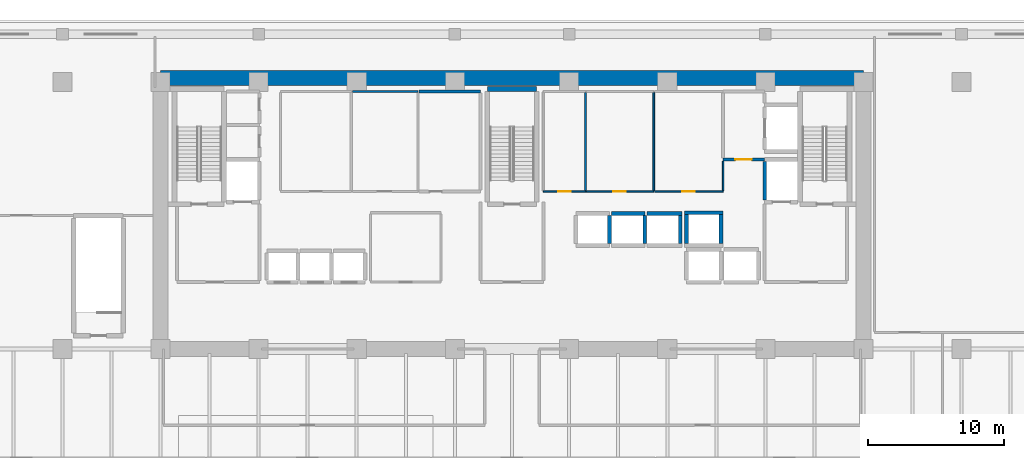
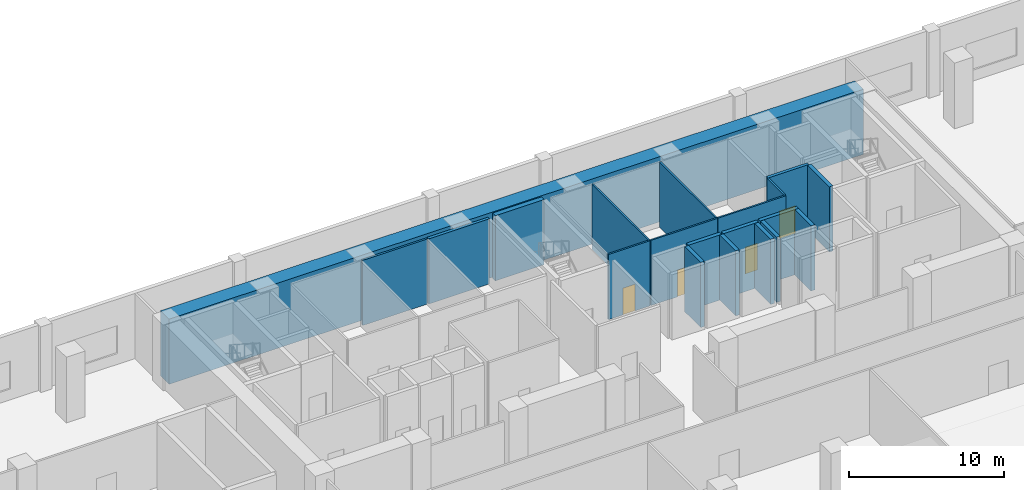
# One storey, part 20 of 25: 20 walls, 4 doors, 4 openings.
"""IFC4 building model written with IfcOpenShell, lengths in metres."""

from ifc_helpers import new_model, si_unit, direction, frame, frame_2d, origin, place, context, subcontext, project, spatial, rectangle, extrude, material, layer, layer_set, type_object, element, fill, save


model = new_model("IFC4")

# Units and contexts
model_context = context("Model", 3, precision=1e-05, world=origin(), true_north=direction((0.0, 1.0)))
body_context = subcontext(model_context, "Body", "Model", "MODEL_VIEW")
ifc_project = project(units=[si_unit("LENGTHUNIT", "METRE"), si_unit("AREAUNIT", "SQUARE_METRE"), si_unit("VOLUMEUNIT", "CUBIC_METRE"), si_unit("PLANEANGLEUNIT", "RADIAN"), si_unit("MASSUNIT", "GRAM", prefix="KILO")], contexts=[model_context])

# Site, building, storey
site_placement = place(None, origin())
site = spatial("IfcSite", under=ifc_project, at=site_placement, CompositionType="ELEMENT")
building_placement = place(site_placement, origin())
building = spatial("IfcBuilding", under=site, at=building_placement, Name="Kaelvorn Grand Hotel", CompositionType="ELEMENT")
storey_placement = place(building_placement, frame((0.0, 0.0, 26.0)))
storey = spatial("IfcBuildingStorey", under=building, at=storey_placement, Name="L04", CompositionType="ELEMENT", Elevation=26.0)

# Wall
ifc_material_1 = material(Name="Concrete C80/95", Category="concrete")
ifc_layer_1 = layer(ifc_material_1, 1.10009765625)
ifc_layer_set_1 = layer_set([ifc_layer_1], Name="Concrete C80/95")
wall_type_1 = type_object("IfcWallType", Name="WL-CORE-1100-C80", PredefinedType="SHEAR", material=ifc_layer_set_1)
wall_1_placement = place(storey_placement, frame((16.199951171875, 49.300048828125, 0.0), z_axis=(0.0, 0.0, 1.0), x_axis=(1.0, 0.0, 0.0)))
element("IfcWall", 1, at=wall_1_placement, inside=storey, type_object=wall_type_1, Name="L04 Rear-Core North Shear Wall", PredefinedType="SHEAR", context=body_context, shape_type="SweptSolid", body=[
    extrude(rectangle(XDim=51.60009765625, YDim=1.10009765625, at=frame_2d((25.800048828125, 0.0))), origin(), (0.0, 0.0, 1.0), 5.1201171875),
])

# Wall, opening, door
ifc_material_2 = material(Name="Moisture-Resistant Tile & Stud Board")
ifc_layer_2 = layer(ifc_material_2, 0.125)
ifc_layer_set_2 = layer_set([ifc_layer_2], Name="Moisture-Resistant Tile & Stud Board")
wall_type_2 = type_object("IfcWallType", Name="WL-PART-125-WET", PredefinedType="PARTITIONING", material=ifc_layer_set_2)
wall_2_placement = place(storey_placement, frame((44.300048828125, 40.949951171875, 0.0), z_axis=(0.0, 0.0, 1.0), x_axis=(1.0, 0.0, 0.0)))
wall_2 = element("IfcWall", 2, at=wall_2_placement, inside=storey, type_object=wall_type_2, Name="L04 Accessible WC S Partition", PredefinedType="PARTITIONING", context=body_context, shape_type="SweptSolid", body=[
    extrude(rectangle(XDim=3.099853515625, YDim=0.125, at=frame_2d((1.5498046875, 0.0))), origin(), (0.0, 0.0, 1.0), 5.1201171875),
])
opening_1_placement = place(wall_2_placement, frame((1.10009765625, 0.0, 0.0)))
opening_1 = element("IfcOpeningElement", 3, at=opening_1_placement, cuts=wall_2, Name="Opening DI4", PredefinedType="OPENING", context=body_context, shape_type="SweptSolid", body=[
    extrude(rectangle(XDim=0.89990234375, YDim=2.10009765625, at=frame_2d((0.449951171875, 1.050048828125))), frame((0.0, 0.072509765625, 0.0), z_axis=(0.0, -1.0, 0.0), x_axis=(1.0, 0.0, 0.0)), (0.0, 0.0, 1.0), 0.14501953125),
])
ifc_material_3 = material(Name="Timber Veneer Leaf", Category="wood")
door_type_1 = type_object("IfcDoorType", Name="DR-INT-BATH-900x2100", OperationType="NOTDEFINED", PredefinedType="DOOR", material=ifc_material_3)
door_1_placement = place(opening_1_placement, origin())
door_1 = element("IfcDoor", 4, at=door_1_placement, inside=storey, type_object=door_type_1, Name="L04 Accessible WC Door", OperationType="SINGLE_SWING_LEFT", OverallHeight=2.10009765625, OverallWidth=0.89990234375, PredefinedType="DOOR", context=body_context, shape_type="SweptSolid", body=[
    extrude(rectangle(XDim=0.89990234375, YDim=2.10009765625, at=frame_2d((0.449951171875, 1.050048828125))), frame((0.0, 0.02490234375, 0.0), z_axis=(0.0, -1.0, 0.0), x_axis=(1.0, 0.0, 0.0)), (0.0, 0.0, 1.0), 0.050048828125),
])
fill(opening_1, door_1)

# Wall
wall_3_placement = place(storey_placement, frame((47.39990234375, 41.017578125, 0.0), z_axis=(0.0, 0.0, 1.0), x_axis=(0.0, 1.0, 0.0)))
element("IfcWall", 5, at=wall_3_placement, inside=storey, type_object=wall_type_2, Name="L04 Accessible WC E Partition", PredefinedType="PARTITIONING", context=body_context, shape_type="SweptSolid", body=[
    extrude(rectangle(XDim=7.21484375, YDim=0.125, at=frame_2d((3.607421875, 0.0))), origin(), (0.0, 0.0, 1.0), 5.1201171875),
])

# Wall, opening, door
wall_4_placement = place(storey_placement, frame((47.467529296875, 40.949951171875, 0.0), z_axis=(0.0, 0.0, 1.0), x_axis=(1.0, 0.0, 0.0)))
wall_4 = element("IfcWall", 6, at=wall_4_placement, inside=storey, type_object=wall_type_2, Name="L04 Male Staff & Guest Toilets S Partition", PredefinedType="PARTITIONING", context=body_context, shape_type="SweptSolid", body=[
    extrude(rectangle(XDim=4.932373046875, YDim=0.125, at=frame_2d((2.46630859375, 0.0))), origin(), (0.0, 0.0, 1.0), 5.1201171875),
])
opening_2_placement = place(wall_4_placement, frame((1.982421875, 0.0, 0.0)))
opening_2 = element("IfcOpeningElement", 7, at=opening_2_placement, cuts=wall_4, Name="Opening DI4", PredefinedType="OPENING", context=body_context, shape_type="SweptSolid", body=[
    extrude(rectangle(XDim=0.89990234375, YDim=2.10009765625, at=frame_2d((0.449951171875, 1.050048828125))), frame((0.0, 0.072509765625, 0.0), z_axis=(0.0, -1.0, 0.0), x_axis=(1.0, 0.0, 0.0)), (0.0, 0.0, 1.0), 0.14501953125),
])
door_2_placement = place(opening_2_placement, origin())
door_2 = element("IfcDoor", 8, at=door_2_placement, inside=storey, type_object=door_type_1, Name="L04 Male Staff & Guest Toilets Door", OperationType="SINGLE_SWING_RIGHT", OverallHeight=2.10009765625, OverallWidth=0.89990234375, PredefinedType="DOOR", context=body_context, shape_type="SweptSolid", body=[
    extrude(rectangle(XDim=0.89990234375, YDim=2.10009765625, at=frame_2d((0.449951171875, 1.050048828125))), frame((0.0, 0.02490234375, 0.0), z_axis=(0.0, -1.0, 0.0), x_axis=(1.0, 0.0, 0.0)), (0.0, 0.0, 1.0), 0.050048828125),
])
fill(opening_2, door_2)

# Wall
wall_5_placement = place(storey_placement, frame((52.39990234375, 41.017578125, 0.0), z_axis=(0.0, 0.0, 1.0), x_axis=(0.0, 1.0, 0.0)))
element("IfcWall", 9, at=wall_5_placement, inside=storey, type_object=wall_type_2, Name="L04 Male Staff & Guest Toilets E Partition", PredefinedType="PARTITIONING", context=body_context, shape_type="SweptSolid", body=[
    extrude(rectangle(XDim=7.21484375, YDim=0.125, at=frame_2d((3.607421875, 0.0))), origin(), (0.0, 0.0, 1.0), 5.1201171875),
])

# Wall, opening, door
wall_6_placement = place(storey_placement, frame((52.467529296875, 40.949951171875, 0.0), z_axis=(0.0, 0.0, 1.0), x_axis=(1.0, 0.0, 0.0)))
wall_6 = element("IfcWall", 10, at=wall_6_placement, inside=storey, type_object=wall_type_2, Name="L04 Female Staff & Guest Toilets S Partition", PredefinedType="PARTITIONING", context=body_context, shape_type="SweptSolid", body=[
    extrude(rectangle(XDim=5.032470703125, YDim=0.125, at=frame_2d((2.51611328125, 0.0))), origin(), (0.0, 0.0, 1.0), 5.1201171875),
])
opening_3_placement = place(wall_6_placement, frame((2.032470703125, 0.0, 0.0)))
opening_3 = element("IfcOpeningElement", 11, at=opening_3_placement, cuts=wall_6, Name="Opening DI4", PredefinedType="OPENING", context=body_context, shape_type="SweptSolid", body=[
    extrude(rectangle(XDim=0.89990234375, YDim=2.10009765625, at=frame_2d((0.449951171875, 1.050048828125))), frame((0.0, 0.072509765625, 0.0), z_axis=(0.0, -1.0, 0.0), x_axis=(1.0, 0.0, 0.0)), (0.0, 0.0, 1.0), 0.14501953125),
])
door_3_placement = place(opening_3_placement, origin())
door_3 = element("IfcDoor", 12, at=door_3_placement, inside=storey, type_object=door_type_1, Name="L04 Female Staff & Guest Toilets Door", OperationType="SINGLE_SWING_LEFT", OverallHeight=2.10009765625, OverallWidth=0.89990234375, PredefinedType="DOOR", context=body_context, shape_type="SweptSolid", body=[
    extrude(rectangle(XDim=0.89990234375, YDim=2.10009765625, at=frame_2d((0.449951171875, 1.050048828125))), frame((0.0, 0.02490234375, 0.0), z_axis=(0.0, -1.0, 0.0), x_axis=(1.0, 0.0, 0.0)), (0.0, 0.0, 1.0), 0.050048828125),
])
fill(opening_3, door_3)

# Walls
wall_7_placement = place(storey_placement, frame((57.5, 41.017578125, 0.0), z_axis=(0.0, 0.0, 1.0), x_axis=(0.0, 1.0, 0.0)))
element("IfcWall", 13, at=wall_7_placement, inside=storey, type_object=wall_type_2, Name="L04 Female Staff & Guest Toilets E Partition", PredefinedType="PARTITIONING", context=body_context, shape_type="SweptSolid", body=[
    extrude(rectangle(XDim=2.16748046875, YDim=0.125, at=frame_2d((1.083740234375, 0.0))), origin(), (0.0, 0.0, 1.0), 5.1201171875),
])
ifc_material_4 = material(Name="Acoustic Gypsum & Stud Partition")
ifc_layer_3 = layer(ifc_material_4, 0.14990234375)
ifc_layer_set_3 = layer_set([ifc_layer_3], Name="Acoustic Gypsum & Stud Partition")
wall_type_3 = type_object("IfcWallType", Name="WL-PART-150-EI60", PredefinedType="PARTITIONING", material=ifc_layer_set_3)
wall_8_placement = place(storey_placement, frame((30.280029296875, 48.300048828125, 0.0), z_axis=(0.0, 0.0, 1.0), x_axis=(1.0, 0.0, 0.0)))
element("IfcWall", 14, at=wall_8_placement, inside=storey, type_object=wall_type_3, Name="L04 Room Service Servery Pantry N Partition", PredefinedType="PARTITIONING", context=body_context, shape_type="SweptSolid", body=[
    extrude(rectangle(XDim=4.820068359375, YDim=0.14990234375, at=frame_2d((2.41015625, 0.0))), origin(), (0.0, 0.0, 1.0), 5.1201171875),
])

# Wall, opening, door
ifc_material_5 = material(Name="Concrete C40/50", Category="concrete")
ifc_layer_4 = layer(ifc_material_5, 0.219970703125)
ifc_layer_set_4 = layer_set([ifc_layer_4], Name="Concrete C40/50")
wall_type_4 = type_object("IfcWallType", Name="WL-PART-220-EI120", PredefinedType="PARTITIONING", material=ifc_layer_set_4)
wall_9_placement = place(storey_placement, frame((57.5, 43.300048828125, 0.0), z_axis=(0.0, 0.0, 1.0), x_axis=(1.0, 0.0, 0.0)))
wall_9 = element("IfcWall", 15, at=wall_9_placement, inside=storey, type_object=wall_type_4, Name="L04 Service Lift Lobby S Partition", PredefinedType="PARTITIONING", context=body_context, shape_type="SweptSolid", body=[
    extrude(rectangle(XDim=3.0400390625, YDim=0.219970703125, at=frame_2d((1.52001953125, 0.0))), origin(), (0.0, 0.0, 1.0), 5.1201171875),
])
opening_4_placement = place(wall_9_placement, frame((0.89990234375, 0.0, 0.0)))
opening_4 = element("IfcOpeningElement", 16, at=opening_4_placement, cuts=wall_9, Name="Opening DI2", PredefinedType="OPENING", context=body_context, shape_type="SweptSolid", body=[
    extrude(rectangle(XDim=1.199951171875, YDim=2.14990234375, at=frame_2d((0.60009765625, 1.074951171875))), frame((0.0, 0.1201171875, 0.0), z_axis=(0.0, -1.0, 0.0), x_axis=(1.0, 0.0, 0.0)), (0.0, 0.0, 1.0), 0.239990234375),
])
ifc_material_6 = material(Name="Timber Veneer Fire Leaf", Category="wood")
door_type_2 = type_object("IfcDoorType", Name="DR-INT-FFLOB-1200x2150", OperationType="NOTDEFINED", PredefinedType="DOOR", material=ifc_material_6)
door_4_placement = place(opening_4_placement, origin())
door_4 = element("IfcDoor", 17, at=door_4_placement, inside=storey, type_object=door_type_2, Name="L04 Service Lift Lobby Door", OperationType="SINGLE_SWING_RIGHT", OverallHeight=2.14990234375, OverallWidth=1.199951171875, PredefinedType="DOOR", context=body_context, shape_type="SweptSolid", body=[
    extrude(rectangle(XDim=1.199951171875, YDim=2.14990234375, at=frame_2d((0.60009765625, 1.074951171875))), frame((0.0, 0.02490234375, 0.0), z_axis=(0.0, -1.0, 0.0), x_axis=(1.0, 0.0, 0.0)), (0.0, 0.0, 1.0), 0.050048828125),
])
fill(opening_4, door_4)

# Walls
wall_10_placement = place(storey_placement, frame((35.179931640625, 48.300048828125, 0.0), z_axis=(0.0, 0.0, 1.0), x_axis=(1.0, 0.0, 0.0)))
element("IfcWall", 18, at=wall_10_placement, inside=storey, type_object=wall_type_4, Name="L04 Floor Electrical Switchroom N Partition", PredefinedType="PARTITIONING", context=body_context, shape_type="SweptSolid", body=[
    extrude(rectangle(XDim=4.52001953125, YDim=0.219970703125, at=frame_2d((2.260009765625, 0.0))), origin(), (0.0, 0.0, 1.0), 5.1201171875),
])
ifc_material_7 = material(Name="Concrete C50/60", Category="concrete")
ifc_layer_5 = layer(ifc_material_7, 0.280029296875)
ifc_layer_set_5 = layer_set([ifc_layer_5], Name="Concrete C50/60")
wall_type_5 = type_object("IfcWallType", Name="WL-SHAFT-280-C50", PredefinedType="SHEAR", material=ifc_layer_set_5)
wall_11_placement = place(storey_placement, frame((49.14990234375, 37.14501953125, 0.0), z_axis=(0.0, 0.0, 1.0), x_axis=(0.0, 1.0, 0.0)))
element("IfcWall", 19, at=wall_11_placement, inside=storey, type_object=wall_type_5, Name="L04 Lift SL-1 Shaft East Wall", PredefinedType="SHEAR", context=body_context, shape_type="SweptSolid", body=[
    extrude(rectangle(XDim=2.06005859375, YDim=0.280029296875, at=frame_2d((1.030029296875, 0.0))), origin(), (0.0, 0.0, 1.0), 5.1201171875),
])
wall_12_placement = place(storey_placement, frame((49.300048828125, 39.35009765625, 0.0), z_axis=(0.0, 0.0, 1.0), x_axis=(1.0, 0.0, 0.0)))
element("IfcWall", 20, at=wall_12_placement, inside=storey, type_object=wall_type_5, Name="L04 Lift SL-2 Shaft North Wall", PredefinedType="SHEAR", context=body_context, shape_type="SweptSolid", body=[
    extrude(rectangle(XDim=2.449951171875, YDim=0.280029296875, at=frame_2d((1.22509765625, 0.0))), origin(), (0.0, 0.0, 1.0), 5.1201171875),
])
wall_13_placement = place(storey_placement, frame((51.75, 37.14501953125, 0.0), z_axis=(0.0, 0.0, 1.0), x_axis=(0.0, 1.0, 0.0)))
element("IfcWall", 21, at=wall_13_placement, inside=storey, type_object=wall_type_5, Name="L04 Lift SL-2 Shaft East Wall", PredefinedType="SHEAR", context=body_context, shape_type="SweptSolid", body=[
    extrude(rectangle(XDim=2.06005859375, YDim=0.280029296875, at=frame_2d((1.030029296875, 0.0))), origin(), (0.0, 0.0, 1.0), 5.1201171875),
])
wall_14_placement = place(storey_placement, frame((51.89990234375, 39.35009765625, 0.0), z_axis=(0.0, 0.0, 1.0), x_axis=(1.0, 0.0, 0.0)))
element("IfcWall", 22, at=wall_14_placement, inside=storey, type_object=wall_type_5, Name="L04 Lift SL-3 Shaft North Wall", PredefinedType="SHEAR", context=body_context, shape_type="SweptSolid", body=[
    extrude(rectangle(XDim=2.590087890625, YDim=0.280029296875, at=frame_2d((1.294921875, 0.0))), origin(), (0.0, 0.0, 1.0), 5.1201171875),
])
wall_15_placement = place(storey_placement, frame((54.35009765625, 37.14501953125, 0.0), z_axis=(0.0, 0.0, 1.0), x_axis=(0.0, 1.0, 0.0)))
element("IfcWall", 23, at=wall_15_placement, inside=storey, type_object=wall_type_5, Name="L04 Lift SL-3 Shaft East Wall", PredefinedType="SHEAR", context=body_context, shape_type="SweptSolid", body=[
    extrude(rectangle(XDim=2.06005859375, YDim=0.280029296875, at=frame_2d((1.030029296875, 0.0))), origin(), (0.0, 0.0, 1.0), 5.1201171875),
])
wall_16_placement = place(storey_placement, frame((54.659912109375, 39.39990234375, 0.0), z_axis=(0.0, 0.0, 1.0), x_axis=(1.0, 0.0, 0.0)))
element("IfcWall", 24, at=wall_16_placement, inside=storey, type_object=wall_type_5, Name="L04 Lift OL-3 Shaft North Wall", PredefinedType="SHEAR", context=body_context, shape_type="SweptSolid", body=[
    extrude(rectangle(XDim=2.830078125, YDim=0.280029296875, at=frame_2d((1.4150390625, 0.0))), origin(), (0.0, 0.0, 1.0), 5.1201171875),
])
for number, where, z_axis, x_axis, name in (
    (25, (54.800048828125, 37.14501953125, 0.0), (0.0, 0.0, 1.0), (0.0, 1.0, 0.0), "L04 Lift OL-3 Shaft West Wall"),
    (26, (57.35009765625, 37.14501953125, 0.0), (0.0, 0.0, 1.0), (0.0, 1.0, 0.0), "L04 Lift OL-3 Shaft East Wall"),
):
    element("IfcWall", number, at=place(storey_placement, frame(where, z_axis=z_axis, x_axis=x_axis)), inside=storey, type_object=wall_type_5, Name=name, PredefinedType="SHEAR", context=body_context, shape_type="SweptSolid", body=[
        extrude(rectangle(XDim=2.10986328125, YDim=0.280029296875, at=frame_2d((1.054931640625, 0.0))), origin(), (0.0, 0.0, 1.0), 5.1201171875),
    ])
wall_17_placement = place(storey_placement, frame((60.550048828125, 40.344970703125, 0.0), z_axis=(0.0, 0.0, 1.0), x_axis=(0.0, 1.0, 0.0)))
element("IfcWall", 27, at=wall_17_placement, inside=storey, type_object=wall_type_5, Name="L04 Lift FFL2 Shaft West Wall", PredefinedType="SHEAR", context=body_context, shape_type="SweptSolid", body=[
    extrude(rectangle(XDim=2.81005859375, YDim=0.280029296875, at=frame_2d((1.405029296875, 0.0))), origin(), (0.0, 0.0, 1.0), 5.1201171875),
])
ifc_material_8 = material(Name="Concrete C60/75", Category="concrete")
ifc_layer_6 = layer(ifc_material_8, 0.35009765625)
ifc_layer_set_6 = layer_set([ifc_layer_6], Name="Concrete C60/75")
wall_type_6 = type_object("IfcWallType", Name="WL-SHAFT-350-C60", PredefinedType="SHEAR", material=ifc_layer_set_6)
wall_18_placement = place(storey_placement, frame((40.18505859375, 48.47509765625, 0.0), z_axis=(0.0, 0.0, 1.0), x_axis=(1.0, 0.0, 0.0)))
element("IfcWall", 28, at=wall_18_placement, inside=storey, type_object=wall_type_6, Name="L04 ST2 Stair Shaft North Wall", PredefinedType="SHEAR", context=body_context, shape_type="SweptSolid", body=[
    extrude(rectangle(XDim=3.6298828125, YDim=0.35009765625, at=frame_2d((1.81494140625, 0.0))), origin(), (0.0, 0.0, 1.0), 5.1201171875),
])

save(model, "model.ifc")
